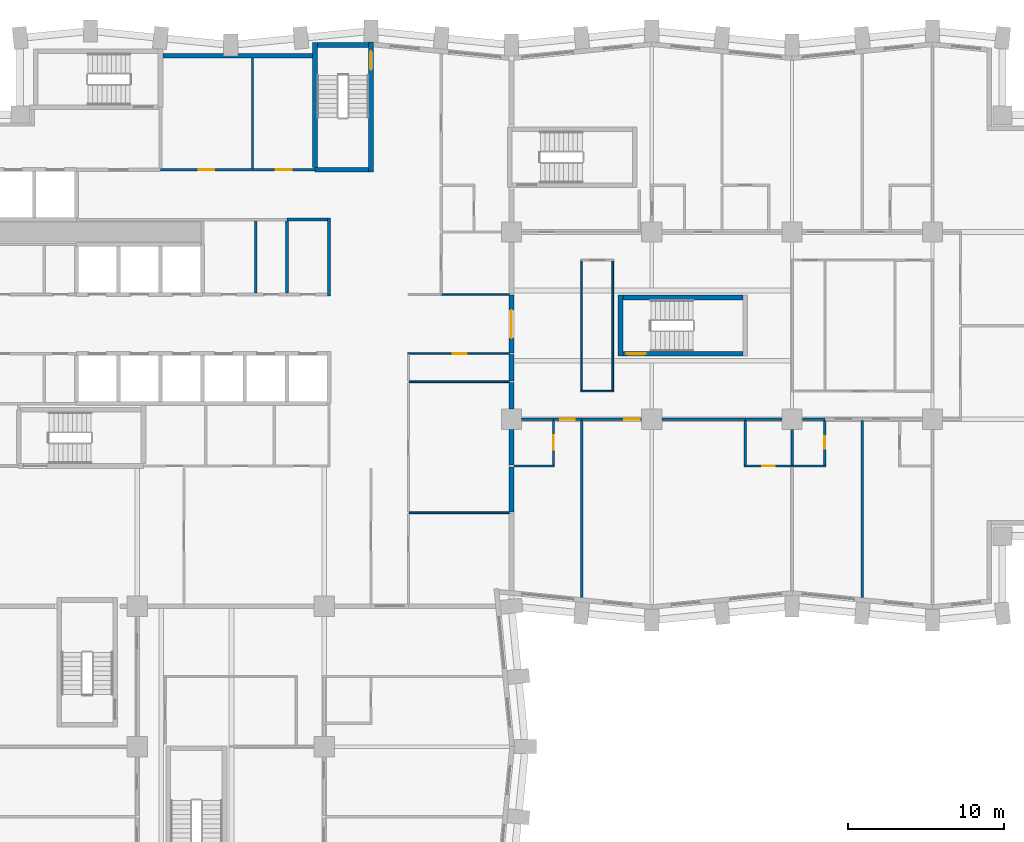
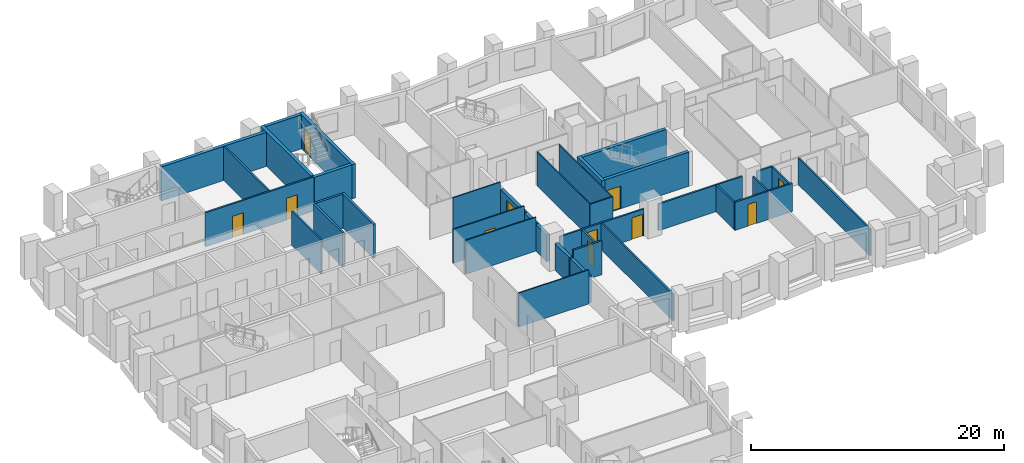
# One storey, part 7 of 12: 41 walls, 11 doors, 11 openings.
"""IFC4 building model written with IfcOpenShell, lengths in metres."""

import ifcopenshell
import ifcopenshell.guid

model = None  # the IFC model being written
_history = None  # IfcOwnerHistory: only IFC2X3 demands one
_inside = {}  # id of a spatial element -> (the spatial element, [elements in it])
_under = {}  # id of a project, library or spatial element -> (it, [spatial elements below it])
_declared = {}  # id of a project -> (the project, [libraries it declares])
_typed = {}  # id of a type object -> (the type object, [elements of that type])
_made_of = {}  # id of a material, layer set ... -> (it, [elements and type objects made of it])


def new_model(schema):
    """Start an empty IFC model of exactly this schema.

    Asked for "IFC4X3", IfcOpenShell would pick the latest addendum, in which some entities
    have other attributes; the version numbers below select the first issue.
    IFC2X3 requires an IfcOwnerHistory on every rooted entity: one is made here for all.
    """
    global model, _history
    if schema == "IFC4X3":
        model = ifcopenshell.file(schema_version=(4, 3, 0, 0))
    else:
        model = ifcopenshell.file(schema=schema)
    _inside.clear()
    _under.clear()
    _declared.clear()
    _typed.clear()
    _made_of.clear()
    _history = None
    if model.schema == "IFC2X3":
        org = make("IfcOrganization", Name="unknown")
        user = make(
            "IfcPersonAndOrganization",
            ThePerson=make("IfcPerson", FamilyName="unknown"),
            TheOrganization=org,
        )
        app = make(
            "IfcApplication",
            ApplicationDeveloper=org,
            Version="unknown",
            ApplicationFullName="unknown",
            ApplicationIdentifier="unknown",
        )
        _history = make(
            "IfcOwnerHistory",
            OwningUser=user,
            OwningApplication=app,
            ChangeAction="ADDED",
            CreationDate=0,
        )
    return model


def make(cls, **values):
    """One entity of the class cls with the attributes given. An attribute that is None is left unset."""
    return model.create_entity(
        cls, **{name: value for name, value in values.items() if value is not None}
    )


def rooted(cls, **values):
    """An entity with a GlobalId (a new one), such as an element, a storey or a relation."""
    return make(cls, GlobalId=ifcopenshell.guid.new(), OwnerHistory=_history, **values)


def si_unit(unit_type, name, prefix=None):
    """IfcSIUnit, for example si_unit("LENGTHUNIT", "METRE", prefix="MILLI")."""
    return make("IfcSIUnit", UnitType=unit_type, Prefix=prefix, Name=name)


def assignment(units):
    """IfcUnitAssignment: the units of a project."""
    return None if units is None else make("IfcUnitAssignment", Units=units)


def point(xyz):
    """IfcCartesianPoint."""
    return None if xyz is None else make("IfcCartesianPoint", Coordinates=xyz)


def direction(xyz):
    """IfcDirection."""
    return None if xyz is None else make("IfcDirection", DirectionRatios=xyz)


def frame(location, z_axis=None, x_axis=None):
    """IfcAxis2Placement3D, a coordinate frame: its origin and axes. An axis left out is left unset."""
    return make(
        "IfcAxis2Placement3D",
        Location=point(location),
        Axis=direction(z_axis),
        RefDirection=direction(x_axis),
    )


def frame_2d(location, x_axis=None):
    """IfcAxis2Placement2D, a coordinate frame in the plane: its origin and x axis."""
    return make(
        "IfcAxis2Placement2D", Location=point(location), RefDirection=direction(x_axis)
    )


def origin():
    """The frame at (0, 0, 0) with its axes left unset."""
    return frame((0.0, 0.0, 0.0))


def place(relative_to, where):
    """IfcLocalPlacement: puts the frame where relative to a parent placement (None: the world)."""
    return make(
        "IfcLocalPlacement", PlacementRelTo=relative_to, RelativePlacement=where
    )


def context(
    kind, dimensions, precision=None, world=None, true_north=None, identifier=None
):
    """IfcGeometricRepresentationContext, for example the 3D "Model" context."""
    return make(
        "IfcGeometricRepresentationContext",
        ContextIdentifier=identifier,
        ContextType=kind,
        CoordinateSpaceDimension=dimensions,
        Precision=precision,
        WorldCoordinateSystem=world,
        TrueNorth=true_north,
    )


def subcontext(parent, identifier, kind, view, scale=None):
    """IfcGeometricRepresentationSubContext, for example "Body" below "Model"."""
    return make(
        "IfcGeometricRepresentationSubContext",
        ContextIdentifier=identifier,
        ContextType=kind,
        ParentContext=parent,
        TargetScale=scale,
        TargetView=view,
    )


def project(units=None, contexts=None):
    """IfcProject with its units and contexts."""
    return rooted(
        "IfcProject",
        Name="project",
        RepresentationContexts=contexts,
        UnitsInContext=assignment(units),
    )


def spatial(cls, under=None, at=None, **own):
    """A site, building, storey or space (cls), placed at a placement, below another one or the project."""
    s = rooted(cls, ObjectPlacement=at, **own)
    if under is not None:
        _under.setdefault(under.id(), (under, []))[1].append(s)
    return s


def profile(cls, at=None, kind="AREA", **sizes):
    """A parametric profile (cls). Its sizes go by their IFC names, for example OverallWidth=200.0."""
    return make(cls, ProfileType=kind, Position=at, **sizes)


def rectangle(**sizes):
    """IfcRectangleProfileDef."""
    return profile("IfcRectangleProfileDef", **sizes)


def extrude(swept, where, along, depth):
    """IfcExtrudedAreaSolid: the profile swept, set in the frame where, extruded along a direction by depth."""
    return make(
        "IfcExtrudedAreaSolid",
        SweptArea=swept,
        Position=where,
        ExtrudedDirection=direction(along),
        Depth=depth,
    )


def shape(context_of_items, identifier, shape_type, items):
    """IfcShapeRepresentation: the items that make up one representation, for example the "Body"."""
    return make(
        "IfcShapeRepresentation",
        ContextOfItems=context_of_items,
        RepresentationIdentifier=identifier,
        RepresentationType=shape_type,
        Items=items,
    )


def material(Name=None, Category=None):
    """IfcMaterial."""
    return make("IfcMaterial", Name=Name, Category=Category)


def layer(
    of_material, thickness, ventilated=None, Name=None, Category=None, Priority=None
):
    """IfcMaterialLayer: one layer of a wall or slab, of a material (None: an air gap)."""
    return make(
        "IfcMaterialLayer",
        Material=of_material,
        LayerThickness=thickness,
        IsVentilated=ventilated,
        Name=Name,
        Category=Category,
        Priority=Priority,
    )


def layer_set(layers, Name=None):
    """IfcMaterialLayerSet."""
    return make("IfcMaterialLayerSet", MaterialLayers=layers, LayerSetName=Name)


def made_of(thing, what):
    """Note that an element or type object is made of a material, layer set ...; save() writes the relation."""
    if what is not None:
        _made_of.setdefault(what.id(), (what, []))[1].append(thing)
    return thing


def type_object(cls, material=None, **own):
    """A type object (cls), such as IfcWallType, which elements share."""
    return made_of(rooted(cls, **own), material)


def element(
    cls,
    number,
    at=None,
    inside=None,
    cuts=None,
    type_object=None,
    material=None,
    context=None,
    identifier="Body",
    shape_type=None,
    held_by="IfcProductDefinitionShape",
    body=None,
    shapes=None,
    **own,
):
    """One element of the class cls, such as IfcWall. Its Tag is "e" and its number.

    at: its placement. inside: the storey or other place that contains it. cuts: it is an
    opening in that element (IfcRelVoidsElement). A single representation is given by context,
    identifier, shape_type and body (its items); several are given by shapes. held_by: the class
    of the entity that holds the representations. save() writes the other relations.
    """
    e = rooted(cls, Tag="e%d" % number, ObjectPlacement=at, **own)
    if body is not None:
        shapes = [shape(context, identifier, shape_type, body)]
    if shapes is not None:
        e.Representation = make(held_by, Representations=shapes)
    if inside is not None:
        _inside.setdefault(inside.id(), (inside, []))[1].append(e)
    if cuts is not None:
        rooted(
            "IfcRelVoidsElement", RelatingBuildingElement=cuts, RelatedOpeningElement=e
        )
    if type_object is not None:
        _typed.setdefault(type_object.id(), (type_object, []))[1].append(e)
    return made_of(e, material)


def fill(opening, filler):
    """IfcRelFillsElement: the door or window that sits in an opening."""
    return rooted(
        "IfcRelFillsElement",
        RelatingOpeningElement=opening,
        RelatedBuildingElement=filler,
    )


def aggregate(whole, parts):
    """IfcRelAggregates: a whole, such as a stair, and the parts it consists of."""
    return rooted("IfcRelAggregates", RelatingObject=whole, RelatedObjects=parts)


def save(model, path):
    """Write the relations noted so far, then the file.

    IfcRelAggregates (storeys below a building ...), IfcRelContainedInSpatialStructure (elements
    in a storey), IfcRelDefinesByType, IfcRelAssociatesMaterial and IfcRelDeclares: one each for
    every whole, place, type object, material and project.
    """
    for whole, parts in _under.values():
        aggregate(whole, parts)
    for where, things in _inside.values():
        rooted(
            "IfcRelContainedInSpatialStructure",
            RelatedElements=things,
            RelatingStructure=where,
        )
    for kind, things in _typed.values():
        rooted("IfcRelDefinesByType", RelatedObjects=things, RelatingType=kind)
    for what, things in _made_of.values():
        rooted("IfcRelAssociatesMaterial", RelatedObjects=things, RelatingMaterial=what)
    for by, libraries in _declared.values():
        rooted("IfcRelDeclares", RelatingContext=by, RelatedDefinitions=libraries)
    model.write(path)


model = new_model("IFC4")

# Units and contexts
model_context = context("Model", 3, precision=1e-05, world=origin(), true_north=direction((0.0, 1.0)))
body_context = subcontext(model_context, "Body", "Model", "MODEL_VIEW")
ifc_project = project(units=[si_unit("LENGTHUNIT", "METRE"), si_unit("AREAUNIT", "SQUARE_METRE"), si_unit("VOLUMEUNIT", "CUBIC_METRE"), si_unit("PLANEANGLEUNIT", "RADIAN"), si_unit("MASSUNIT", "GRAM", prefix="KILO")], contexts=[model_context])

# Site, building, storey
site_placement = place(None, origin())
site = spatial("IfcSite", under=ifc_project, at=site_placement, CompositionType="ELEMENT")
building_placement = place(site_placement, origin())
building = spatial("IfcBuilding", under=site, at=building_placement, Name="Brondeck Convention Tower", CompositionType="ELEMENT")
storey_placement = place(building_placement, frame((0.0, 0.0, 66.300048828125)))
storey = spatial("IfcBuildingStorey", under=building, at=storey_placement, Name="L14", CompositionType="ELEMENT", Elevation=66.300048828125)

# Walls
ifc_material_1 = material(Name="Concrete compartment wall C30/37", Category="concrete")
ifc_layer_1 = layer(ifc_material_1, 0.300048828125)
ifc_layer_set_1 = layer_set([ifc_layer_1], Name="Compartment wall 300")
wall_type_1 = type_object("IfcWallType", Name="Compartment wall 300", PredefinedType="PARTITIONING", material=ifc_layer_set_1)
wall_1_placement = place(storey_placement, frame((36.0, 35.925048828125, 0.0), z_axis=(0.0, 0.0, 1.0), x_axis=(0.0, -1.0, 0.0)))
element("IfcWall", 1, at=wall_1_placement, inside=storey, type_object=wall_type_1, Name="FLR-L14-W047", PredefinedType="PARTITIONING", context=body_context, shape_type="SweptSolid", body=[
    extrude(rectangle(XDim=2.875, YDim=0.300048828125, at=frame_2d((1.4375, 0.0))), origin(), (0.0, 0.0, 1.0), 2.579833984375),
])
wall_2_placement = place(storey_placement, frame((36.0, 38.344970703125, 0.0), z_axis=(0.0, 0.0, 1.0), x_axis=(0.0, -1.0, 0.0)))
element("IfcWall", 2, at=wall_2_placement, inside=storey, type_object=wall_type_1, Name="FLR-L14-W056", PredefinedType="PARTITIONING", context=body_context, shape_type="SweptSolid", body=[
    extrude(rectangle(XDim=2.27001953125, YDim=0.300048828125, at=frame_2d((1.135009765625, 0.0))), origin(), (0.0, 0.0, 1.0), 2.579833984375),
])
wall_3_placement = place(storey_placement, frame((36.0, 41.35009765625, 0.0), z_axis=(0.0, 0.0, 1.0), x_axis=(0.0, -1.0, 0.0)))
element("IfcWall", 3, at=wall_3_placement, inside=storey, type_object=wall_type_1, Name="FLR-L14-W079", PredefinedType="PARTITIONING", context=body_context, shape_type="SweptSolid", body=[
    extrude(rectangle(XDim=1.695068359375, YDim=0.300048828125, at=frame_2d((0.84765625, 0.0))), origin(), (0.0, 0.0, 1.0), 2.579833984375),
])
wall_4_placement = place(storey_placement, frame((36.0, 43.14990234375, 0.0), z_axis=(0.0, 0.0, 1.0), x_axis=(0.0, -1.0, 0.0)))
element("IfcWall", 4, at=wall_4_placement, inside=storey, type_object=wall_type_1, Name="FLR-L14-W082", PredefinedType="PARTITIONING", context=body_context, shape_type="SweptSolid", body=[
    extrude(rectangle(XDim=1.699951171875, YDim=0.300048828125, at=frame_2d((0.85009765625, 0.0))), origin(), (0.0, 0.0, 1.0), 2.579833984375),
])

# Wall, opening, door
wall_5_placement = place(storey_placement, frame((36.0, 46.949951171875, 0.0), z_axis=(0.0, 0.0, 1.0), x_axis=(0.0, -1.0, 0.0)))
wall_5 = element("IfcWall", 5, at=wall_5_placement, inside=storey, type_object=wall_type_1, Name="FLR-L14-W086", PredefinedType="PARTITIONING", context=body_context, shape_type="SweptSolid", body=[
    extrude(rectangle(XDim=3.699951171875, YDim=0.300048828125, at=frame_2d((1.85009765625, 0.0))), origin(), (0.0, 0.0, 1.0), 2.579833984375),
])
opening_1_placement = place(wall_5_placement, frame((0.949951171875, 0.0, 0.0)))
opening_1 = element("IfcOpeningElement", 6, at=opening_1_placement, cuts=wall_5, Name="Opening H3-041", PredefinedType="OPENING", context=body_context, shape_type="SweptSolid", body=[
    extrude(rectangle(XDim=1.800048828125, YDim=2.10009765625, at=frame_2d((0.89990234375, 1.050048828125))), frame((0.0, 0.159912109375, 0.0), z_axis=(0.0, -1.0, 0.0), x_axis=(1.0, 0.0, 0.0)), (0.0, 0.0, 1.0), 0.320068359375),
])
ifc_material_2 = material(Name="Steel fire door pair", Category="steel")
door_type_1 = type_object("IfcDoorType", Name="Fire door pair 1800", OperationType="DOUBLE_DOOR_SINGLE_SWING", PredefinedType="DOOR", material=ifc_material_2)
door_1_placement = place(opening_1_placement, origin())
door_1 = element("IfcDoor", 7, at=door_1_placement, inside=storey, type_object=door_type_1, Name="Door H3-041", OperationType="DOUBLE_DOOR_SINGLE_SWING", OverallHeight=2.10009765625, OverallWidth=1.800048828125, PredefinedType="DOOR", context=body_context, shape_type="SweptSolid", body=[
    extrude(rectangle(XDim=1.800048828125, YDim=2.10009765625, at=frame_2d((0.89990234375, 1.050048828125))), frame((0.0, 0.02490234375, 0.0), z_axis=(0.0, -1.0, 0.0), x_axis=(1.0, 0.0, 0.0)), (0.0, 0.0, 1.0), 0.050048828125),
])
fill(opening_1, door_1)

# Walls
ifc_material_3 = material(Name="Concrete C80/95", Category="concrete")
ifc_layer_2 = layer(ifc_material_3, 0.199951171875)
ifc_layer_set_2 = layer_set([ifc_layer_2], Name="Core beam-seat wall 200 Concrete C80/95")
wall_type_2 = type_object("IfcWallType", Name="Core beam-seat wall 200 Concrete C80/95", PredefinedType="SHEAR", material=ifc_layer_set_2)
wall_6_placement = place(storey_placement, frame((24.300048828125, 46.89990234375, 0.0), z_axis=(0.0, 0.0, 1.0), x_axis=(0.0, 1.0, 0.0)))
element("IfcWall", 8, at=wall_6_placement, inside=storey, type_object=wall_type_2, Name="L14 core wall", PredefinedType="SHEAR", context=body_context, shape_type="SweptSolid", body=[
    extrude(rectangle(XDim=5.0, YDim=0.199951171875, at=frame_2d((2.5, 0.0))), origin(), (0.0, 0.0, 1.0), 3.300048828125),
])
ifc_layer_3 = layer(ifc_material_3, 0.300048828125)
ifc_layer_set_3 = layer_set([ifc_layer_3], Name="Core outer wall 300 Concrete C80/95")
wall_type_3 = type_object("IfcWallType", Name="Core outer wall 300 Concrete C80/95", PredefinedType="SHEAR", material=ifc_layer_set_3)
wall_7_placement = place(storey_placement, frame((13.64990234375, 62.300048828125, 0.0), z_axis=(0.0, 0.0, 1.0), x_axis=(1.0, 0.0, 0.0)))
element("IfcWall", 9, at=wall_7_placement, inside=storey, type_object=wall_type_3, Name="L14 core wall", PredefinedType="SHEAR", context=body_context, shape_type="SweptSolid", body=[
    extrude(rectangle(XDim=9.60009765625, YDim=0.300048828125, at=frame_2d((4.800048828125, 0.0))), origin(), (0.0, 0.0, 1.0), 3.300048828125),
])

# Wall, openings, doors
ifc_material_4 = material(Name="Fire-rated gypsum board partition")
ifc_layer_4 = layer(ifc_material_4, 0.14990234375)
ifc_layer_set_4 = layer_set([ifc_layer_4], Name="Core partition 150 EI 60")
wall_type_4 = type_object("IfcWallType", Name="Core partition 150 EI 60", PredefinedType="PARTITIONING", material=ifc_layer_set_4)
wall_8_placement = place(storey_placement, frame((13.5, 55.0, 0.0), z_axis=(0.0, 0.0, 1.0), x_axis=(1.0, 0.0, 0.0)))
wall_8 = element("IfcWall", 10, at=wall_8_placement, inside=storey, type_object=wall_type_4, Name="L14 core wall", PredefinedType="PARTITIONING", context=body_context, shape_type="SweptSolid", body=[
    extrude(rectangle(XDim=9.89990234375, YDim=0.14990234375, at=frame_2d((4.949951171875, 0.0))), origin(), (0.0, 0.0, 1.0), 3.300048828125),
])
opening_2_placement = place(wall_8_placement, frame((2.449951171875, 0.0, 0.0)))
opening_2 = element("IfcOpeningElement", 11, at=opening_2_placement, cuts=wall_8, Name="Opening C10-13", PredefinedType="OPENING", context=body_context, shape_type="SweptSolid", body=[
    extrude(rectangle(XDim=1.0, YDim=2.10009765625, at=frame_2d((0.5, 1.050048828125))), frame((0.0, 0.0849609375, 0.0), z_axis=(0.0, -1.0, 0.0), x_axis=(1.0, 0.0, 0.0)), (0.0, 0.0, 1.0), 0.169921875),
])
opening_3_placement = place(wall_8_placement, frame((7.39990234375, 0.0, 0.0)))
opening_3 = element("IfcOpeningElement", 12, at=opening_3_placement, cuts=wall_8, Name="Opening C10-14", PredefinedType="OPENING", context=body_context, shape_type="SweptSolid", body=[
    extrude(rectangle(XDim=1.0, YDim=2.10009765625, at=frame_2d((0.5, 1.050048828125))), frame((0.0, 0.0849609375, 0.0), z_axis=(0.0, -1.0, 0.0), x_axis=(1.0, 0.0, 0.0)), (0.0, 0.0, 1.0), 0.169921875),
])
ifc_material_5 = material(Name="Steel fire door", Category="steel")
door_type_2 = type_object("IfcDoorType", Name="Room door 1000x2100 EI 60", OperationType="NOTDEFINED", PredefinedType="DOOR", material=ifc_material_5)
door_2_placement = place(opening_2_placement, origin())
door_2 = element("IfcDoor", 13, at=door_2_placement, inside=storey, type_object=door_type_2, Name="L14 Room door NE-1", OperationType="SINGLE_SWING_LEFT", OverallHeight=2.10009765625, OverallWidth=1.0, PredefinedType="DOOR", context=body_context, shape_type="SweptSolid", body=[
    extrude(rectangle(XDim=1.0, YDim=2.10009765625, at=frame_2d((0.5, 1.050048828125))), frame((0.0, 0.02490234375, 0.0), z_axis=(0.0, -1.0, 0.0), x_axis=(1.0, 0.0, 0.0)), (0.0, 0.0, 1.0), 0.050048828125),
])
fill(opening_2, door_2)
door_3_placement = place(opening_3_placement, origin())
door_3 = element("IfcDoor", 14, at=door_3_placement, inside=storey, type_object=door_type_2, Name="L14 Room door NE-2", OperationType="SINGLE_SWING_RIGHT", OverallHeight=2.10009765625, OverallWidth=1.0, PredefinedType="DOOR", context=body_context, shape_type="SweptSolid", body=[
    extrude(rectangle(XDim=1.0, YDim=2.10009765625, at=frame_2d((0.5, 1.050048828125))), frame((0.0, 0.02490234375, 0.0), z_axis=(0.0, -1.0, 0.0), x_axis=(1.0, 0.0, 0.0)), (0.0, 0.0, 1.0), 0.050048828125),
])
fill(opening_3, door_3)

# Walls
wall_9_placement = place(storey_placement, frame((19.39990234375, 55.074951171875, 0.0), z_axis=(0.0, 0.0, 1.0), x_axis=(0.0, 1.0, 0.0)))
element("IfcWall", 15, at=wall_9_placement, inside=storey, type_object=wall_type_4, Name="L14 core wall", PredefinedType="PARTITIONING", context=body_context, shape_type="SweptSolid", body=[
    extrude(rectangle(XDim=7.074951171875, YDim=0.14990234375, at=frame_2d((3.53759765625, 0.0))), origin(), (0.0, 0.0, 1.0), 3.300048828125),
])
wall_10_placement = place(storey_placement, frame((19.60009765625, 47.10009765625, 0.0), z_axis=(0.0, 0.0, 1.0), x_axis=(0.0, 1.0, 0.0)))
element("IfcWall", 16, at=wall_10_placement, inside=storey, type_object=wall_type_4, Name="L14 core wall", PredefinedType="PARTITIONING", context=body_context, shape_type="SweptSolid", body=[
    extrude(rectangle(XDim=4.625, YDim=0.14990234375, at=frame_2d((2.3125, 0.0))), origin(), (0.0, 0.0, 1.0), 3.300048828125),
])
ifc_material_6 = material(Name="Double gypsum board acoustic wall")
ifc_layer_5 = layer(ifc_material_6, 0.14990234375)
ifc_layer_set_5 = layer_set([ifc_layer_5], Name="Guest room party wall 150")
wall_type_5 = type_object("IfcWallType", Name="Guest room party wall 150", PredefinedType="PARTITIONING", material=ifc_layer_set_5)
wall_11_placement = place(storey_placement, frame((36.14990234375, 36.0, 0.0), z_axis=(0.0, 0.0, 1.0), x_axis=(1.0, 0.0, 0.0)))
element("IfcWall", 17, at=wall_11_placement, inside=storey, type_object=wall_type_5, Name="FLR-L14-W050", PredefinedType="PARTITIONING", context=body_context, shape_type="SweptSolid", body=[
    extrude(rectangle(XDim=2.625, YDim=0.14990234375, at=frame_2d((1.3125, 0.0))), origin(), (0.0, 0.0, 1.0), 3.280029296875),
])

# Wall, opening, door
wall_12_placement = place(storey_placement, frame((50.925048828125, 36.0, 0.0), z_axis=(0.0, 0.0, 1.0), x_axis=(1.0, 0.0, 0.0)))
wall_12 = element("IfcWall", 18, at=wall_12_placement, inside=storey, type_object=wall_type_5, Name="FLR-L14-W051", PredefinedType="PARTITIONING", context=body_context, shape_type="SweptSolid", body=[
    extrude(rectangle(XDim=3.074951171875, YDim=0.14990234375, at=frame_2d((1.53759765625, 0.0))), origin(), (0.0, 0.0, 1.0), 2.72998046875),
])
opening_4_placement = place(wall_12_placement, frame((1.175048828125, 0.0, 0.0)))
opening_4 = element("IfcOpeningElement", 19, at=opening_4_placement, cuts=wall_12, Name="Opening H3-011", PredefinedType="OPENING", context=body_context, shape_type="SweptSolid", body=[
    extrude(rectangle(XDim=0.800048828125, YDim=2.10009765625, at=frame_2d((0.39990234375, 1.050048828125))), frame((0.0, 0.0849609375, 0.0), z_axis=(0.0, -1.0, 0.0), x_axis=(1.0, 0.0, 0.0)), (0.0, 0.0, 1.0), 0.169921875),
])
ifc_material_7 = material(Name="Solid timber door leaf", Category="wood")
door_type_3 = type_object("IfcDoorType", Name="En-suite door 800", OperationType="NOTDEFINED", PredefinedType="DOOR", material=ifc_material_7)
door_4_placement = place(opening_4_placement, origin())
door_4 = element("IfcDoor", 20, at=door_4_placement, inside=storey, type_object=door_type_3, Name="Door H3-011", OperationType="SINGLE_SWING_RIGHT", OverallHeight=2.10009765625, OverallWidth=0.800048828125, PredefinedType="DOOR", context=body_context, shape_type="SweptSolid", body=[
    extrude(rectangle(XDim=0.800048828125, YDim=2.10009765625, at=frame_2d((0.39990234375, 1.050048828125))), frame((0.0, 0.02490234375, 0.0), z_axis=(0.0, -1.0, 0.0), x_axis=(1.0, 0.0, 0.0)), (0.0, 0.0, 1.0), 0.050048828125),
])
fill(opening_4, door_4)

# Wall
wall_13_placement = place(storey_placement, frame((54.0, 36.0, 0.0), z_axis=(0.0, 0.0, 1.0), x_axis=(1.0, 0.0, 0.0)))
element("IfcWall", 21, at=wall_13_placement, inside=storey, type_object=wall_type_5, Name="FLR-L14-W052", PredefinedType="PARTITIONING", context=body_context, shape_type="SweptSolid", body=[
    extrude(rectangle(XDim=2.175048828125, YDim=0.14990234375, at=frame_2d((1.08740234375, 0.0))), origin(), (0.0, 0.0, 1.0), 2.72998046875),
])

# Wall, opening, door
wall_14_placement = place(storey_placement, frame((38.699951171875, 36.074951171875, 0.0), z_axis=(0.0, 0.0, 1.0), x_axis=(0.0, 1.0, 0.0)))
wall_14 = element("IfcWall", 22, at=wall_14_placement, inside=storey, type_object=wall_type_5, Name="FLR-L14-W054", PredefinedType="PARTITIONING", context=body_context, shape_type="SweptSolid", body=[
    extrude(rectangle(XDim=2.85009765625, YDim=0.14990234375, at=frame_2d((1.425048828125, 0.0))), origin(), (0.0, 0.0, 1.0), 2.579833984375),
])
opening_5_placement = place(wall_14_placement, frame((0.949951171875, 0.0, 0.0)))
opening_5 = element("IfcOpeningElement", 23, at=opening_5_placement, cuts=wall_14, Name="Opening H3-009", PredefinedType="OPENING", context=body_context, shape_type="SweptSolid", body=[
    extrude(rectangle(XDim=0.949951171875, YDim=2.10009765625, at=frame_2d((0.47509765625, 1.050048828125))), frame((0.0, 0.0849609375, 0.0), z_axis=(0.0, -1.0, 0.0), x_axis=(1.0, 0.0, 0.0)), (0.0, 0.0, 1.0), 0.169921875),
])
door_type_4 = type_object("IfcDoorType", Name="Accessible door 950", OperationType="NOTDEFINED", PredefinedType="DOOR", material=ifc_material_7)
door_5_placement = place(opening_5_placement, origin())
door_5 = element("IfcDoor", 24, at=door_5_placement, inside=storey, type_object=door_type_4, Name="Door H3-009", OperationType="SINGLE_SWING_LEFT", OverallHeight=2.10009765625, OverallWidth=0.949951171875, PredefinedType="DOOR", context=body_context, shape_type="SweptSolid", body=[
    extrude(rectangle(XDim=0.949951171875, YDim=2.10009765625, at=frame_2d((0.47509765625, 1.050048828125))), frame((0.0, 0.02490234375, 0.0), z_axis=(0.0, -1.0, 0.0), x_axis=(1.0, 0.0, 0.0)), (0.0, 0.0, 1.0), 0.050048828125),
])
fill(opening_5, door_5)

wall_15_placement = place(storey_placement, frame((56.10009765625, 36.074951171875, 0.0), z_axis=(0.0, 0.0, 1.0), x_axis=(0.0, 1.0, 0.0)))
wall_15 = element("IfcWall", 25, at=wall_15_placement, inside=storey, type_object=wall_type_5, Name="FLR-L14-W055", PredefinedType="PARTITIONING", context=body_context, shape_type="SweptSolid", body=[
    extrude(rectangle(XDim=2.85009765625, YDim=0.14990234375, at=frame_2d((1.425048828125, 0.0))), origin(), (0.0, 0.0, 1.0), 2.579833984375),
])
opening_6_placement = place(wall_15_placement, frame((1.02490234375, 0.0, 0.0)))
opening_6 = element("IfcOpeningElement", 26, at=opening_6_placement, cuts=wall_15, Name="Opening H3-013", PredefinedType="OPENING", context=body_context, shape_type="SweptSolid", body=[
    extrude(rectangle(XDim=0.800048828125, YDim=2.10009765625, at=frame_2d((0.39990234375, 1.050048828125))), frame((0.0, 0.0849609375, 0.0), z_axis=(0.0, -1.0, 0.0), x_axis=(1.0, 0.0, 0.0)), (0.0, 0.0, 1.0), 0.169921875),
])
door_6_placement = place(opening_6_placement, origin())
door_6 = element("IfcDoor", 27, at=door_6_placement, inside=storey, type_object=door_type_3, Name="Door H3-013", OperationType="SINGLE_SWING_LEFT", OverallHeight=2.10009765625, OverallWidth=0.800048828125, PredefinedType="DOOR", context=body_context, shape_type="SweptSolid", body=[
    extrude(rectangle(XDim=0.800048828125, YDim=2.10009765625, at=frame_2d((0.39990234375, 1.050048828125))), frame((0.0, 0.02490234375, 0.0), z_axis=(0.0, -1.0, 0.0), x_axis=(1.0, 0.0, 0.0)), (0.0, 0.0, 1.0), 0.050048828125),
])
fill(opening_6, door_6)

# Walls
wall_16_placement = place(storey_placement, frame((54.0, 38.344970703125, 0.0), z_axis=(0.0, 0.0, 1.0), x_axis=(0.0, -1.0, 0.0)))
element("IfcWall", 28, at=wall_16_placement, inside=storey, type_object=wall_type_5, Name="FLR-L14-W057", PredefinedType="PARTITIONING", context=body_context, shape_type="SweptSolid", body=[
    extrude(rectangle(XDim=2.27001953125, YDim=0.14990234375, at=frame_2d((1.135009765625, 0.0))), origin(), (0.0, 0.0, 1.0), 2.72998046875),
])
wall_17_placement = place(storey_placement, frame((40.5, 38.925048828125, 0.0), z_axis=(0.0, 0.0, 1.0), x_axis=(0.0, -1.0, 0.0)))
element("IfcWall", 29, at=wall_17_placement, inside=storey, type_object=wall_type_5, Name="FLR-L14-W059", PredefinedType="PARTITIONING", context=body_context, shape_type="SweptSolid", body=[
    extrude(rectangle(XDim=11.35009765625, YDim=0.14990234375, at=frame_2d((5.675048828125, 0.0))), origin(), (0.0, 0.0, 1.0), 2.579833984375),
])
wall_18_placement = place(storey_placement, frame((51.0, 38.925048828125, 0.0), z_axis=(0.0, 0.0, 1.0), x_axis=(0.0, -1.0, 0.0)))
element("IfcWall", 30, at=wall_18_placement, inside=storey, type_object=wall_type_5, Name="FLR-L14-W060", PredefinedType="PARTITIONING", context=body_context, shape_type="SweptSolid", body=[
    extrude(rectangle(XDim=2.85009765625, YDim=0.14990234375, at=frame_2d((1.425048828125, 0.0))), origin(), (0.0, 0.0, 1.0), 2.579833984375),
])
wall_19_placement = place(storey_placement, frame((58.5, 38.925048828125, 0.0), z_axis=(0.0, 0.0, 1.0), x_axis=(0.0, -1.0, 0.0)))
element("IfcWall", 31, at=wall_19_placement, inside=storey, type_object=wall_type_5, Name="FLR-L14-W061", PredefinedType="PARTITIONING", context=body_context, shape_type="SweptSolid", body=[
    extrude(rectangle(XDim=11.35009765625, YDim=0.14990234375, at=frame_2d((5.675048828125, 0.0))), origin(), (0.0, 0.0, 1.0), 2.579833984375),
])
wall_20_placement = place(storey_placement, frame((38.699951171875, 39.0, 0.0), z_axis=(0.0, 0.0, 1.0), x_axis=(-1.0, 0.0, 0.0)))
element("IfcWall", 32, at=wall_20_placement, inside=storey, type_object=wall_type_5, Name="FLR-L14-W063", PredefinedType="PARTITIONING", context=body_context, shape_type="SweptSolid", body=[
    extrude(rectangle(XDim=2.044921875, YDim=0.14990234375, at=frame_2d((1.0224609375, 0.0))), origin(), (0.0, 0.0, 1.0), 2.579833984375),
])

# Wall, opening, door
wall_21_placement = place(storey_placement, frame((40.5, 39.0, 0.0), z_axis=(0.0, 0.0, 1.0), x_axis=(-1.0, 0.0, 0.0)))
wall_21 = element("IfcWall", 33, at=wall_21_placement, inside=storey, type_object=wall_type_5, Name="FLR-L14-W064", PredefinedType="PARTITIONING", context=body_context, shape_type="SweptSolid", body=[
    extrude(rectangle(XDim=1.800048828125, YDim=0.14990234375, at=frame_2d((0.89990234375, 0.0))), origin(), (0.0, 0.0, 1.0), 2.579833984375),
])
opening_7_placement = place(wall_21_placement, frame((0.425048828125, 0.0, 0.0)))
opening_7 = element("IfcOpeningElement", 34, at=opening_7_placement, cuts=wall_21, Name="Opening H3-008", PredefinedType="OPENING", context=body_context, shape_type="SweptSolid", body=[
    extrude(rectangle(XDim=0.949951171875, YDim=2.10009765625, at=frame_2d((0.47509765625, 1.050048828125))), frame((0.0, 0.0849609375, 0.0), z_axis=(0.0, -1.0, 0.0), x_axis=(1.0, 0.0, 0.0)), (0.0, 0.0, 1.0), 0.169921875),
])
door_7_placement = place(opening_7_placement, origin())
door_7 = element("IfcDoor", 35, at=door_7_placement, inside=storey, type_object=door_type_4, Name="Door H3-008", OperationType="SINGLE_SWING_LEFT", OverallHeight=2.10009765625, OverallWidth=0.949951171875, PredefinedType="DOOR", context=body_context, shape_type="SweptSolid", body=[
    extrude(rectangle(XDim=0.949951171875, YDim=2.10009765625, at=frame_2d((0.47509765625, 1.050048828125))), frame((0.0, 0.02490234375, 0.0), z_axis=(0.0, -1.0, 0.0), x_axis=(1.0, 0.0, 0.0)), (0.0, 0.0, 1.0), 0.050048828125),
])
fill(opening_7, door_7)

wall_22_placement = place(storey_placement, frame((44.344970703125, 39.0, 0.0), z_axis=(0.0, 0.0, 1.0), x_axis=(-1.0, 0.0, 0.0)))
wall_22 = element("IfcWall", 36, at=wall_22_placement, inside=storey, type_object=wall_type_5, Name="FLR-L14-W065", PredefinedType="PARTITIONING", context=body_context, shape_type="SweptSolid", body=[
    extrude(rectangle(XDim=3.844970703125, YDim=0.14990234375, at=frame_2d((1.92236328125, 0.0))), origin(), (0.0, 0.0, 1.0), 2.579833984375),
])
opening_8_placement = place(wall_22_placement, frame((0.10009765625, 0.0, 0.0)))
opening_8 = element("IfcOpeningElement", 37, at=opening_8_placement, cuts=wall_22, Name="Opening H3-010", PredefinedType="OPENING", context=body_context, shape_type="SweptSolid", body=[
    extrude(rectangle(XDim=1.0, YDim=2.10009765625, at=frame_2d((0.5, 1.050048828125))), frame((0.0, 0.0849609375, 0.0), z_axis=(0.0, -1.0, 0.0), x_axis=(1.0, 0.0, 0.0)), (0.0, 0.0, 1.0), 0.169921875),
])
ifc_material_8 = material(Name="Solid timber fire door leaf", Category="wood")
door_type_5 = type_object("IfcDoorType", Name="Guest room door 1000", OperationType="NOTDEFINED", PredefinedType="DOOR", material=ifc_material_8)
door_8_placement = place(opening_8_placement, origin())
door_8 = element("IfcDoor", 38, at=door_8_placement, inside=storey, type_object=door_type_5, Name="Door H3-010", OperationType="SINGLE_SWING_RIGHT", OverallHeight=2.10009765625, OverallWidth=1.0, PredefinedType="DOOR", context=body_context, shape_type="SweptSolid", body=[
    extrude(rectangle(XDim=1.0, YDim=2.10009765625, at=frame_2d((0.5, 1.050048828125))), frame((0.0, 0.02490234375, 0.0), z_axis=(0.0, -1.0, 0.0), x_axis=(1.0, 0.0, 0.0)), (0.0, 0.0, 1.0), 0.050048828125),
])
fill(opening_8, door_8)

# Walls
wall_23_placement = place(storey_placement, frame((51.0, 39.0, 0.0), z_axis=(0.0, 0.0, 1.0), x_axis=(-1.0, 0.0, 0.0)))
element("IfcWall", 39, at=wall_23_placement, inside=storey, type_object=wall_type_5, Name="FLR-L14-W066", PredefinedType="PARTITIONING", context=body_context, shape_type="SweptSolid", body=[
    extrude(rectangle(XDim=5.344970703125, YDim=0.14990234375, at=frame_2d((2.67236328125, 0.0))), origin(), (0.0, 0.0, 1.0), 2.579833984375),
])
wall_24_placement = place(storey_placement, frame((53.344970703125, 39.0, 0.0), z_axis=(0.0, 0.0, 1.0), x_axis=(-1.0, 0.0, 0.0)))
element("IfcWall", 40, at=wall_24_placement, inside=storey, type_object=wall_type_5, Name="FLR-L14-W067", PredefinedType="PARTITIONING", context=body_context, shape_type="SweptSolid", body=[
    extrude(rectangle(XDim=2.344970703125, YDim=0.14990234375, at=frame_2d((1.17236328125, 0.0))), origin(), (0.0, 0.0, 1.0), 2.579833984375),
])
wall_25_placement = place(storey_placement, frame((56.10009765625, 39.0, 0.0), z_axis=(0.0, 0.0, 1.0), x_axis=(-1.0, 0.0, 0.0)))
element("IfcWall", 41, at=wall_25_placement, inside=storey, type_object=wall_type_5, Name="FLR-L14-W068", PredefinedType="PARTITIONING", context=body_context, shape_type="SweptSolid", body=[
    extrude(rectangle(XDim=1.445068359375, YDim=0.14990234375, at=frame_2d((0.72265625, 0.0))), origin(), (0.0, 0.0, 1.0), 2.579833984375),
])
ifc_layer_6 = layer(ifc_material_4, 0.199951171875)
ifc_layer_set_6 = layer_set([ifc_layer_6], Name="Riser wall 200 EI 120")
wall_type_6 = type_object("IfcWallType", Name="Riser wall 200 EI 120", PredefinedType="PARTITIONING", material=ifc_layer_set_6)
wall_26_placement = place(storey_placement, frame((21.60009765625, 51.800048828125, 0.0), z_axis=(0.0, 0.0, 1.0), x_axis=(1.0, 0.0, 0.0)))
element("IfcWall", 42, at=wall_26_placement, inside=storey, type_object=wall_type_6, Name="L14 core wall", PredefinedType="PARTITIONING", context=body_context, shape_type="SweptSolid", body=[
    extrude(rectangle(XDim=2.599853515625, YDim=0.199951171875, at=frame_2d((1.2998046875, 0.0))), origin(), (0.0, 0.0, 1.0), 3.300048828125),
])
wall_27_placement = place(storey_placement, frame((21.60009765625, 47.10009765625, 0.0), z_axis=(0.0, 0.0, 1.0), x_axis=(0.0, 1.0, 0.0)))
element("IfcWall", 43, at=wall_27_placement, inside=storey, type_object=wall_type_6, Name="L14 core wall", PredefinedType="PARTITIONING", context=body_context, shape_type="SweptSolid", body=[
    extrude(rectangle(XDim=4.599853515625, YDim=0.199951171875, at=frame_2d((2.2998046875, 0.0))), origin(), (0.0, 0.0, 1.0), 3.300048828125),
])
ifc_material_9 = material(Name="Gypsum board partition on steel studs", Category="steel")
ifc_layer_7 = layer(ifc_material_9, 0.10009765625)
ifc_layer_set_7 = layer_set([ifc_layer_7], Name="Room partition 100")
wall_type_7 = type_object("IfcWallType", Name="Room partition 100", PredefinedType="PARTITIONING", material=ifc_layer_set_7)
wall_28_placement = place(storey_placement, frame((35.85009765625, 33.0, 0.0), z_axis=(0.0, 0.0, 1.0), x_axis=(-1.0, 0.0, 0.0)))
element("IfcWall", 44, at=wall_28_placement, inside=storey, type_object=wall_type_7, Name="FLR-L14-W045", PredefinedType="PARTITIONING", context=body_context, shape_type="SweptSolid", body=[
    extrude(rectangle(XDim=6.400146484375, YDim=0.10009765625, at=frame_2d((3.2001953125, 0.0))), origin(), (0.0, 0.0, 1.0), 3.280029296875),
])
wall_29_placement = place(storey_placement, frame((40.449951171875, 40.800048828125, 0.0), z_axis=(0.0, 0.0, 1.0), x_axis=(1.0, 0.0, 0.0)))
element("IfcWall", 45, at=wall_29_placement, inside=storey, type_object=wall_type_7, Name="FLR-L14-W073", PredefinedType="PARTITIONING", context=body_context, shape_type="SweptSolid", body=[
    extrude(rectangle(XDim=2.10009765625, YDim=0.10009765625, at=frame_2d((1.050048828125, 0.0))), origin(), (0.0, 0.0, 1.0), 3.280029296875),
])
wall_30_placement = place(storey_placement, frame((35.85009765625, 41.39990234375, 0.0), z_axis=(0.0, 0.0, 1.0), x_axis=(-1.0, 0.0, 0.0)))
element("IfcWall", 46, at=wall_30_placement, inside=storey, type_object=wall_type_7, Name="FLR-L14-W080", PredefinedType="PARTITIONING", context=body_context, shape_type="SweptSolid", body=[
    extrude(rectangle(XDim=6.400146484375, YDim=0.10009765625, at=frame_2d((3.2001953125, 0.0))), origin(), (0.0, 0.0, 1.0), 3.280029296875),
])

# Wall, opening, door
wall_31_placement = place(storey_placement, frame((35.85009765625, 43.199951171875, 0.0), z_axis=(0.0, 0.0, 1.0), x_axis=(-1.0, 0.0, 0.0)))
wall_31 = element("IfcWall", 47, at=wall_31_placement, inside=storey, type_object=wall_type_7, Name="FLR-L14-W083", PredefinedType="PARTITIONING", context=body_context, shape_type="SweptSolid", body=[
    extrude(rectangle(XDim=6.5, YDim=0.10009765625, at=frame_2d((3.25, 0.0))), origin(), (0.0, 0.0, 1.0), 3.280029296875),
])
opening_9_placement = place(wall_31_placement, frame((2.699951171875, 0.0, 0.0)))
opening_9 = element("IfcOpeningElement", 48, at=opening_9_placement, cuts=wall_31, Name="Opening H3-036", PredefinedType="OPENING", context=body_context, shape_type="SweptSolid", body=[
    extrude(rectangle(XDim=0.89990234375, YDim=2.10009765625, at=frame_2d((0.449951171875, 1.050048828125))), frame((0.0, 0.06005859375, 0.0), z_axis=(0.0, -1.0, 0.0), x_axis=(1.0, 0.0, 0.0)), (0.0, 0.0, 1.0), 0.1201171875),
])
door_type_6 = type_object("IfcDoorType", Name="Single door 900", OperationType="NOTDEFINED", PredefinedType="DOOR", material=ifc_material_7)
door_9_placement = place(opening_9_placement, origin())
door_9 = element("IfcDoor", 49, at=door_9_placement, inside=storey, type_object=door_type_6, Name="Door H3-036", OperationType="SINGLE_SWING_LEFT", OverallHeight=2.10009765625, OverallWidth=0.89990234375, PredefinedType="DOOR", context=body_context, shape_type="SweptSolid", body=[
    extrude(rectangle(XDim=0.89990234375, YDim=2.10009765625, at=frame_2d((0.449951171875, 1.050048828125))), frame((0.0, 0.02490234375, 0.0), z_axis=(0.0, -1.0, 0.0), x_axis=(1.0, 0.0, 0.0)), (0.0, 0.0, 1.0), 0.050048828125),
])
fill(opening_9, door_9)

# Walls
wall_32_placement = place(storey_placement, frame((31.5, 47.0, 0.0), z_axis=(0.0, 0.0, 1.0), x_axis=(1.0, 0.0, 0.0)))
element("IfcWall", 50, at=wall_32_placement, inside=storey, type_object=wall_type_7, Name="FLR-L14-W088", PredefinedType="PARTITIONING", context=body_context, shape_type="SweptSolid", body=[
    extrude(rectangle(XDim=4.35009765625, YDim=0.10009765625, at=frame_2d((2.175048828125, 0.0))), origin(), (0.0, 0.0, 1.0), 3.280029296875),
])
for number, where, z_axis, x_axis, name in (
    (51, (40.5, 49.14990234375, 0.0), (0.0, 0.0, 1.0), (0.0, -1.0, 0.0), "FLR-L14-W090"),
    (52, (42.5, 49.14990234375, 0.0), (0.0, 0.0, 1.0), (0.0, -1.0, 0.0), "FLR-L14-W091"),
):
    element("IfcWall", number, at=place(storey_placement, frame(where, z_axis=z_axis, x_axis=x_axis)), inside=storey, type_object=wall_type_7, Name=name, PredefinedType="PARTITIONING", context=body_context, shape_type="SweptSolid", body=[
        extrude(rectangle(XDim=8.2998046875, YDim=0.10009765625, at=frame_2d((4.14990234375, 0.0))), origin(), (0.0, 0.0, 1.0), 3.280029296875),
    ])

# Wall, opening, door
ifc_layer_8 = layer(ifc_material_3, 0.300048828125)
ifc_layer_set_8 = layer_set([ifc_layer_8], Name="Stair enclosure wall 300 Concrete C80/95")
wall_type_8 = type_object("IfcWallType", Name="Stair enclosure wall 300 Concrete C80/95", PredefinedType="SHEAR", material=ifc_layer_set_8)
wall_33_placement = place(storey_placement, frame((43.14990234375, 43.199951171875, 0.0), z_axis=(0.0, 0.0, 1.0), x_axis=(1.0, 0.0, 0.0)))
wall_33 = element("IfcWall", 53, at=wall_33_placement, inside=storey, type_object=wall_type_8, Name="L14 core wall", PredefinedType="SHEAR", context=body_context, shape_type="SweptSolid", body=[
    extrude(rectangle(XDim=7.7001953125, YDim=0.300048828125, at=frame_2d((3.85009765625, 0.0))), origin(), (0.0, 0.0, 1.0), 3.300048828125),
])
opening_10_placement = place(wall_33_placement, frame((0.25, 0.0, 0.0)))
opening_10 = element("IfcOpeningElement", 54, at=opening_10_placement, cuts=wall_33, Name="Opening C10-19", PredefinedType="OPENING", context=body_context, shape_type="SweptSolid", body=[
    extrude(rectangle(XDim=1.199951171875, YDim=2.199951171875, at=frame_2d((0.60009765625, 1.10009765625))), frame((0.0, 0.159912109375, 0.0), z_axis=(0.0, -1.0, 0.0), x_axis=(1.0, 0.0, 0.0)), (0.0, 0.0, 1.0), 0.320068359375),
])
door_type_7 = type_object("IfcDoorType", Name="Stair door 1200x2200 EI 90", OperationType="NOTDEFINED", PredefinedType="DOOR", material=ifc_material_5)
door_10_placement = place(opening_10_placement, origin())
door_10 = element("IfcDoor", 55, at=door_10_placement, inside=storey, type_object=door_type_7, Name="L14 Stair door ST-AF", OperationType="SINGLE_SWING_RIGHT", OverallHeight=2.199951171875, OverallWidth=1.199951171875, PredefinedType="DOOR", context=body_context, shape_type="SweptSolid", body=[
    extrude(rectangle(XDim=1.199951171875, YDim=2.199951171875, at=frame_2d((0.60009765625, 1.10009765625))), frame((0.0, 0.02490234375, 0.0), z_axis=(0.0, -1.0, 0.0), x_axis=(1.0, 0.0, 0.0)), (0.0, 0.0, 1.0), 0.050048828125),
])
fill(opening_10, door_10)

# Walls
wall_34_placement = place(storey_placement, frame((43.14990234375, 46.800048828125, 0.0), z_axis=(0.0, 0.0, 1.0), x_axis=(1.0, 0.0, 0.0)))
element("IfcWall", 56, at=wall_34_placement, inside=storey, type_object=wall_type_8, Name="L14 core wall", PredefinedType="SHEAR", context=body_context, shape_type="SweptSolid", body=[
    extrude(rectangle(XDim=7.7001953125, YDim=0.300048828125, at=frame_2d((3.85009765625, 0.0))), origin(), (0.0, 0.0, 1.0), 3.300048828125),
])
wall_35_placement = place(storey_placement, frame((23.39990234375, 55.0, 0.0), z_axis=(0.0, 0.0, 1.0), x_axis=(1.0, 0.0, 0.0)))
element("IfcWall", 57, at=wall_35_placement, inside=storey, type_object=wall_type_8, Name="L14 core wall", PredefinedType="SHEAR", context=body_context, shape_type="SweptSolid", body=[
    extrude(rectangle(XDim=3.4501953125, YDim=0.300048828125, at=frame_2d((1.72509765625, 0.0))), origin(), (0.0, 0.0, 1.0), 3.300048828125),
])
wall_36_placement = place(storey_placement, frame((23.550048828125, 63.0, 0.0), z_axis=(0.0, 0.0, 1.0), x_axis=(1.0, 0.0, 0.0)))
element("IfcWall", 58, at=wall_36_placement, inside=storey, type_object=wall_type_8, Name="L14 core wall", PredefinedType="SHEAR", context=body_context, shape_type="SweptSolid", body=[
    extrude(rectangle(XDim=3.300048828125, YDim=0.300048828125, at=frame_2d((1.64990234375, 0.0))), origin(), (0.0, 0.0, 1.0), 3.300048828125),
])
wall_37_placement = place(storey_placement, frame((23.39990234375, 55.14990234375, 0.0), z_axis=(0.0, 0.0, 1.0), x_axis=(0.0, 1.0, 0.0)))
element("IfcWall", 59, at=wall_37_placement, inside=storey, type_object=wall_type_8, Name="L14 core wall", PredefinedType="SHEAR", context=body_context, shape_type="SweptSolid", body=[
    extrude(rectangle(XDim=8.0, YDim=0.300048828125, at=frame_2d((4.0, 0.0))), origin(), (0.0, 0.0, 1.0), 3.300048828125),
])

# Wall, opening, door
wall_38_placement = place(storey_placement, frame((27.0, 54.85009765625, 0.0), z_axis=(0.0, 0.0, 1.0), x_axis=(0.0, 1.0, 0.0)))
wall_38 = element("IfcWall", 60, at=wall_38_placement, inside=storey, type_object=wall_type_8, Name="L14 core wall", PredefinedType="SHEAR", context=body_context, shape_type="SweptSolid", body=[
    extrude(rectangle(XDim=8.349853515625, YDim=0.300048828125, at=frame_2d((4.1748046875, 0.0))), origin(), (0.0, 0.0, 1.0), 3.300048828125),
])
opening_11_placement = place(wall_38_placement, frame((6.550048828125, 0.0, 0.0)))
opening_11 = element("IfcOpeningElement", 61, at=opening_11_placement, cuts=wall_38, Name="Opening C10-16", PredefinedType="OPENING", context=body_context, shape_type="SweptSolid", body=[
    extrude(rectangle(XDim=1.199951171875, YDim=2.199951171875, at=frame_2d((0.60009765625, 1.10009765625))), frame((0.0, 0.159912109375, 0.0), z_axis=(0.0, -1.0, 0.0), x_axis=(1.0, 0.0, 0.0)), (0.0, 0.0, 1.0), 0.320068359375),
])
door_11_placement = place(opening_11_placement, origin())
door_11 = element("IfcDoor", 62, at=door_11_placement, inside=storey, type_object=door_type_7, Name="L14 Stair door ST-2", OperationType="SINGLE_SWING_LEFT", OverallHeight=2.199951171875, OverallWidth=1.199951171875, PredefinedType="DOOR", context=body_context, shape_type="SweptSolid", body=[
    extrude(rectangle(XDim=1.199951171875, YDim=2.199951171875, at=frame_2d((0.60009765625, 1.10009765625))), frame((0.0, 0.02490234375, 0.0), z_axis=(0.0, -1.0, 0.0), x_axis=(1.0, 0.0, 0.0)), (0.0, 0.0, 1.0), 0.050048828125),
])
fill(opening_11, door_11)

# Wall
wall_39_placement = place(storey_placement, frame((43.0, 43.050048828125, 0.0), z_axis=(0.0, 0.0, 1.0), x_axis=(0.0, 1.0, 0.0)))
element("IfcWall", 63, at=wall_39_placement, inside=storey, type_object=wall_type_8, Name="L14 core wall", PredefinedType="SHEAR", context=body_context, shape_type="SweptSolid", body=[
    extrude(rectangle(XDim=3.89990234375, YDim=0.300048828125, at=frame_2d((1.949951171875, 0.0))), origin(), (0.0, 0.0, 1.0), 3.300048828125),
])

save(model, "model.ifc")
